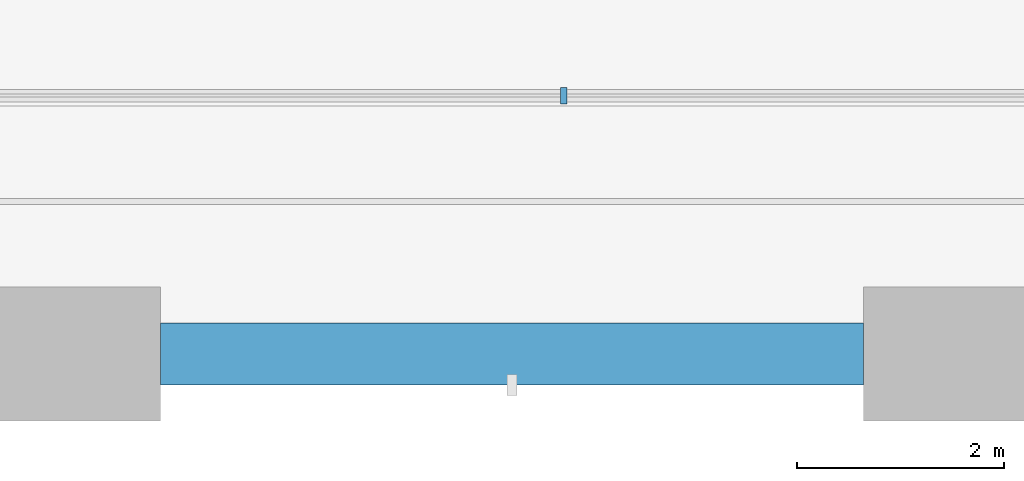
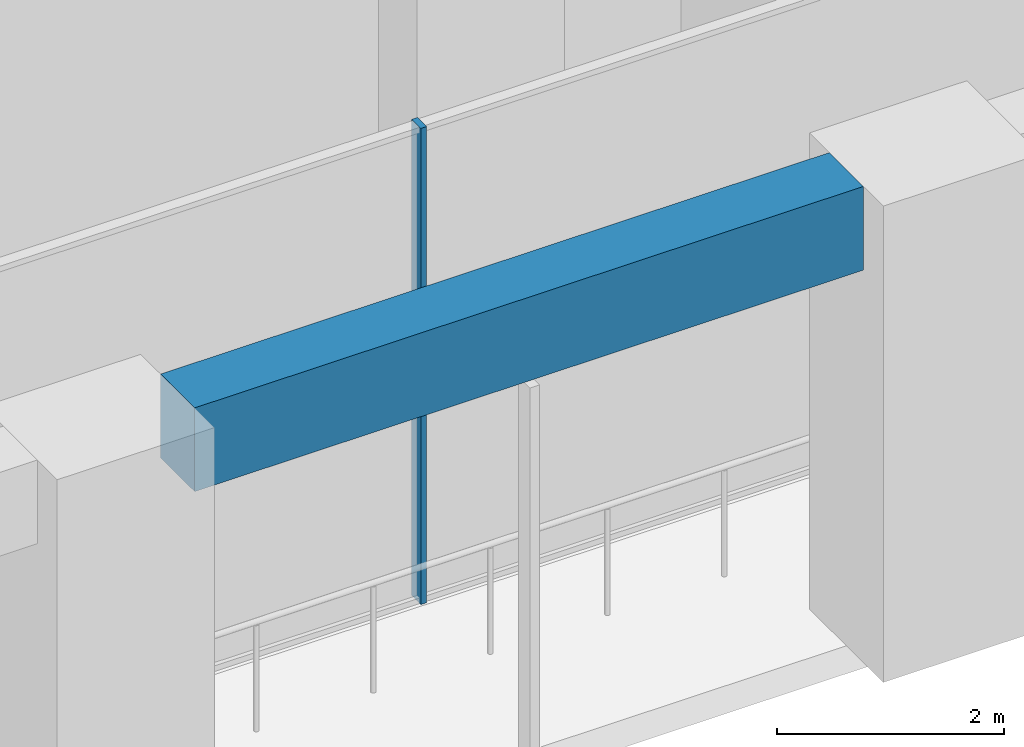
# One storey, part 3 of 32: 1 beam, 1 member, 1 element without a shape of its own.
"""IFC4 building model written with IfcOpenShell, lengths in metres."""

from ifc_helpers import new_model, si_unit, direction, frame, origin, origin_2d, place, context, subcontext, project, spatial, rectangle, extrude, material, material_profile, profile_set, type_object, element, aggregate, save


model = new_model("IFC4")

# Units and contexts
model_context = context("Model", 3, precision=1e-05, world=origin(), true_north=direction((0.0, 1.0)))
body_context = subcontext(model_context, "Body", "Model", "MODEL_VIEW")
ifc_project = project(units=[si_unit("LENGTHUNIT", "METRE"), si_unit("AREAUNIT", "SQUARE_METRE"), si_unit("VOLUMEUNIT", "CUBIC_METRE"), si_unit("PLANEANGLEUNIT", "RADIAN"), si_unit("MASSUNIT", "GRAM", prefix="KILO")], contexts=[model_context])

# Site, building, storey
site_placement = place(None, origin())
site = spatial("IfcSite", under=ifc_project, at=site_placement, CompositionType="ELEMENT")
building_placement = place(site_placement, origin())
building = spatial("IfcBuilding", under=site, at=building_placement, Name="Vermilion Gate Residences", CompositionType="ELEMENT")
storey_placement = place(building_placement, frame((0.0, 0.0, 19.800048828125)))
storey = spatial("IfcBuildingStorey", under=building, at=storey_placement, Name="L03", CompositionType="ELEMENT", Elevation=19.800048828125)

# Curtain wall, member
ifc_material_1 = material(Name="Aluminium and glass", Category="aluminium")
curtain_wall_type = type_object("IfcCurtainWallType", Name="AMENITY GLAZING CURTAIN WALL", PredefinedType="NOTDEFINED", material=ifc_material_1)
curtain_wall_placement = place(storey_placement, origin())
curtain_wall = element("IfcCurtainWall", 1, at=curtain_wall_placement, inside=storey, type_object=curtain_wall_type, Name="Amenity Glazing 60", PredefinedType="NOTDEFINED")
ifc_material_2 = material(Name="Aluminium", Category="aluminium")
ifc_material_profile_1 = material_profile(ifc_material_2, rectangle(XDim=0.159912109375, YDim=0.06005859375, at=origin_2d()), Name="MULLION 60 X 160")
ifc_profile_set_1 = profile_set([ifc_material_profile_1], Name="Aluminium")
member_type = type_object("IfcMemberType", Name="AMENITY GLAZING MULLION 60 X 160", PredefinedType="MULLION", material=ifc_profile_set_1)
member_placement = place(storey_placement, frame((29.89990234375, 2.5, 0.0), z_axis=(0.0, 0.0, 1.0), x_axis=(0.0, 1.0, 0.0)))
member = element("IfcMember", 2, at=member_placement, type_object=member_type, Name="ECW2 mullion 4", PredefinedType="MULLION", context=body_context, shape_type="SweptSolid", body=[
    extrude(rectangle(XDim=0.159912109375, YDim=0.06005859375, at=origin_2d()), origin(), (0.0, 0.0, 1.0), 5.119873046875),
])
aggregate(curtain_wall, [member])

# Beam
ifc_material_3 = material(Name="Concrete C60 red-oxide pigmented", Category="concrete")
ifc_material_profile_2 = material_profile(ifc_material_3, rectangle(XDim=0.60009765625, YDim=0.89990234375, at=origin_2d()), Name="RC-600x900")
ifc_profile_set_2 = profile_set([ifc_material_profile_2], Name="Concrete C60 red-oxide pigmented")
beam_type = type_object("IfcBeamType", Name="RC EDGE BEAM 600 X 900 C60", PredefinedType="BEAM", material=ifc_profile_set_2)
beam_placement = place(storey_placement, frame((26.0, 0.0, 4.669921875), z_axis=(1.0, 0.0, 0.0), x_axis=(0.0, 1.0, 0.0)))
element("IfcBeam", 3, at=beam_placement, inside=storey, type_object=beam_type, Name="Edge beam L03 14", PredefinedType="BEAM", context=body_context, shape_type="SweptSolid", body=[
    extrude(rectangle(XDim=0.60009765625, YDim=0.89990234375, at=origin_2d()), origin(), (0.0, 0.0, 1.0), 6.800048828125),
])

save(model, "model.ifc")
